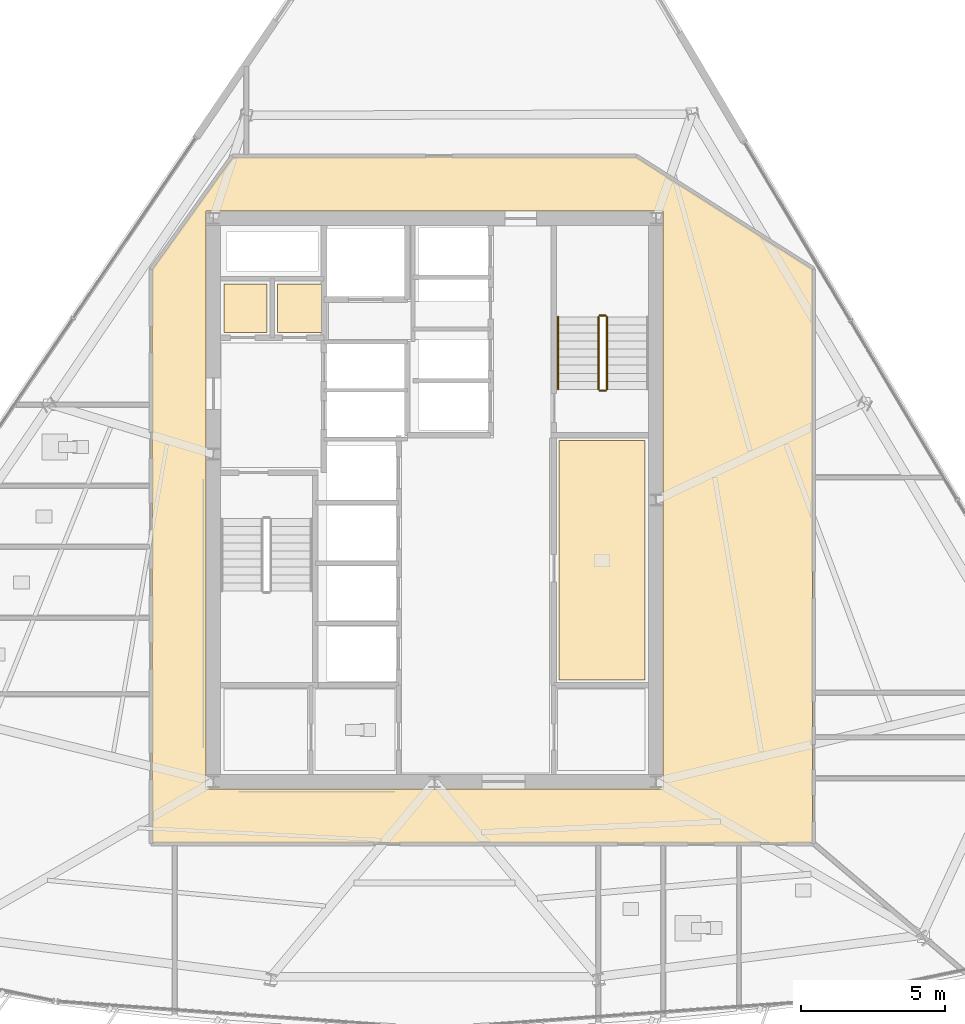
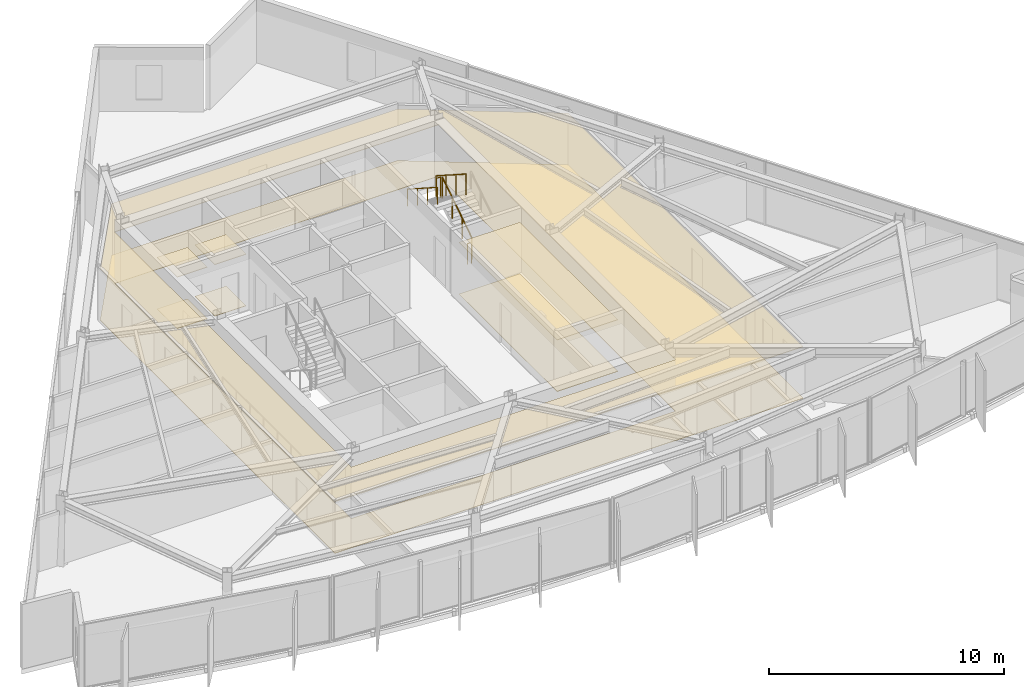
# One storey, part 13 of 15: 8 coverings, 5 railings.
"""IFC4 building model written with IfcOpenShell, lengths in metres."""

from ifc_helpers import new_model, si_unit, direction, frame, origin, origin_2d, place, context, subcontext, project, spatial, polyline, circle, outline, extrude, material, layer, layer_set, type_object, element, save


model = new_model("IFC4")

# Units and contexts
model_context = context("Model", 3, precision=1e-05, world=origin(), true_north=direction((0.0, 1.0)))
body_context = subcontext(model_context, "Body", "Model", "MODEL_VIEW")
ifc_project = project(units=[si_unit("LENGTHUNIT", "METRE"), si_unit("AREAUNIT", "SQUARE_METRE"), si_unit("VOLUMEUNIT", "CUBIC_METRE"), si_unit("PLANEANGLEUNIT", "RADIAN"), si_unit("MASSUNIT", "GRAM", prefix="KILO")], contexts=[model_context])

# Site, building, storey
site_placement = place(None, origin())
site = spatial("IfcSite", under=ifc_project, at=site_placement, CompositionType="ELEMENT")
building_placement = place(site_placement, origin())
building = spatial("IfcBuilding", under=site, at=building_placement, Name="Savorim Split Tower", CompositionType="ELEMENT")
storey_placement = place(building_placement, frame((0.0, 0.0, 194.699951171875)))
storey = spatial("IfcBuildingStorey", under=building, at=storey_placement, Name="L51", CompositionType="ELEMENT", Elevation=194.699951171875)

# Coverings
ifc_material_1 = material(Name="Mineral Fibre Acoustic Ceiling")
ifc_layer_1 = layer(ifc_material_1, 0.02490234375)
ifc_layer_set_1 = layer_set([ifc_layer_1], Name="COV-CEIL-25")
covering_type_1 = type_object("IfcCoveringType", Name="COV-CEIL-25", PredefinedType="CEILING", material=ifc_layer_set_1)
covering_1_placement = place(storey_placement, frame((0.0, 0.0, 2.670166015625)))
element("IfcCovering", 1, at=covering_1_placement, inside=storey, type_object=covering_type_1, Name="L51 Electrical Riser Acoustic Ceiling", PredefinedType="CEILING", context=body_context, shape_type="SweptSolid", body=[
    extrude(outline(polyline([(-7.320068359375, 7.919921875), (-7.320068359375, 6.22998046875), (-5.830078125, 6.22998046875), (-5.830078125, 7.919921875), (-7.320068359375, 7.919921875)])), origin(), (0.0, 0.0, 1.0), 0.02490234375),
])
covering_2_placement = place(storey_placement, frame((0.0, 0.0, 2.670166015625)))
element("IfcCovering", 2, at=covering_2_placement, inside=storey, type_object=covering_type_1, Name="L51 Telecom Riser Acoustic Ceiling", PredefinedType="CEILING", context=body_context, shape_type="SweptSolid", body=[
    extrude(outline(polyline([(-5.469970703125, 7.919921875), (-5.469970703125, 6.22998046875), (-3.929931640625, 6.22998046875), (-3.929931640625, 7.919921875), (-5.469970703125, 7.919921875)])), origin(), (0.0, 0.0, 1.0), 0.02490234375),
])
covering_3_placement = place(storey_placement, frame((0.0, 0.0, 2.670166015625)))
element("IfcCovering", 3, at=covering_3_placement, inside=storey, type_object=covering_type_1, Name="L51 Community Laundry Room Acoustic Ceiling", PredefinedType="CEILING", context=body_context, shape_type="SweptSolid", body=[
    extrude(outline(polyline([(4.330078125, 2.469970703125), (4.330078125, -5.8701171875), (7.320068359375, -5.8701171875), (7.320068359375, 2.469970703125), (4.330078125, 2.469970703125)])), origin(), (0.0, 0.0, 1.0), 0.02490234375),
])
covering_4_placement = place(storey_placement, frame((0.0, 0.0, 2.670166015625)))
element("IfcCovering", 4, at=covering_4_placement, inside=storey, type_object=covering_type_1, Name="L51 Corridor Acoustic Ceiling", PredefinedType="CEILING", context=body_context, shape_type="SweptSolid", body=[
    extrude(outline(polyline([(7.009521484375, 12.3291015625), (7.004638671875, 12.329833984375), (7.0, 12.330078125), (-7.0, 12.330078125), (-7.004638671875, 12.329833984375), (-7.009521484375, 12.3291015625), (-7.013916015625, 12.327880859375), (-7.0185546875, 12.326416015625), (-7.022705078125, 12.324462890625), (-7.027099609375, 12.322021484375), (-7.03076171875, 12.3193359375), (-7.034423828125, 12.31640625), (-7.03759765625, 12.312744140625), (-7.04052734375, 12.30908203125), (-9.820556640625, 8.42919921875), (-9.823486328125, 8.4248046875), (-9.82568359375, 8.420166015625), (-9.82763671875, 8.415283203125), (-9.828857421875, 8.410400390625), (-9.82958984375, 8.4052734375), (-9.830078125, 8.39990234375), (-9.830078125, -11.47998046875), (-9.829833984375, -11.48486328125), (-9.8291015625, -11.48974609375), (-9.827880859375, -11.494384765625), (-9.826171875, -11.4990234375), (-9.82421875, -11.503662109375), (-9.821533203125, -11.5078125), (-9.818603515625, -11.51171875), (-9.8154296875, -11.515380859375), (-9.811767578125, -11.518798828125), (-9.807861328125, -11.521484375), (-9.8037109375, -11.524169921875), (-9.799072265625, -11.526123046875), (-9.79443359375, -11.52783203125), (-9.789794921875, -11.529052734375), (-9.784912109375, -11.52978515625), (-9.780029296875, -11.530029296875), (13.10009765625, -11.530029296875), (13.10498046875, -11.52978515625), (13.10986328125, -11.529052734375), (13.114501953125, -11.52783203125), (13.119140625, -11.526123046875), (13.12353515625, -11.524169921875), (13.127685546875, -11.521484375), (13.131591796875, -11.518798828125), (13.135498046875, -11.515380859375), (13.138671875, -11.51171875), (13.1416015625, -11.5078125), (13.14404296875, -11.503662109375), (13.146240234375, -11.4990234375), (13.147705078125, -11.494384765625), (13.14892578125, -11.48974609375), (13.14990234375, -11.48486328125), (13.14990234375, -11.47998046875), (13.14990234375, 8.39990234375), (13.149658203125, 8.405029296875), (13.14892578125, 8.409912109375), (13.147705078125, 8.414794921875), (13.14599609375, 8.41943359375), (13.143798828125, 8.424072265625), (13.14111328125, 8.42822265625), (13.13818359375, 8.432373046875), (13.134765625, 8.43603515625), (13.130859375, 8.439208984375), (13.126708984375, 8.442138671875), (7.02685546875, 12.322265625), (7.022705078125, 12.324462890625), (7.018310546875, 12.326416015625), (7.013916015625, 12.327880859375), (7.009521484375, 12.3291015625)]), holes=[polyline([(-7.949951171875, 10.449951171875), (-7.949951171875, -9.64990234375), (7.949951171875, -9.64990234375), (7.949951171875, 10.449951171875), (-7.949951171875, 10.449951171875)])]), origin(), (0.0, 0.0, 1.0), 0.02490234375),
])
ifc_material_2 = material(Name="Porcelain Stoneware Flooring", Category="masonry")
ifc_layer_2 = layer(ifc_material_2, 0.02001953125)
ifc_layer_set_2 = layer_set([ifc_layer_2], Name="COV-FLOR-20")
covering_type_2 = type_object("IfcCoveringType", Name="COV-FLOR-20", PredefinedType="FLOORING", material=ifc_layer_set_2)
covering_5_placement = place(storey_placement, origin())
element("IfcCovering", 5, at=covering_5_placement, inside=storey, type_object=covering_type_2, Name="L51 Electrical Riser Porcelain Flooring", PredefinedType="FLOORING", context=body_context, shape_type="SweptSolid", body=[
    extrude(outline(polyline([(-7.320068359375, 7.919921875), (-7.320068359375, 6.22998046875), (-5.830078125, 6.22998046875), (-5.830078125, 7.919921875), (-7.320068359375, 7.919921875)])), origin(), (0.0, 0.0, 1.0), 0.02001953125),
])
covering_6_placement = place(storey_placement, origin())
element("IfcCovering", 6, at=covering_6_placement, inside=storey, type_object=covering_type_2, Name="L51 Telecom Riser Porcelain Flooring", PredefinedType="FLOORING", context=body_context, shape_type="SweptSolid", body=[
    extrude(outline(polyline([(-5.469970703125, 7.919921875), (-5.469970703125, 6.22998046875), (-3.929931640625, 6.22998046875), (-3.929931640625, 7.919921875), (-5.469970703125, 7.919921875)])), origin(), (0.0, 0.0, 1.0), 0.02001953125),
])
covering_7_placement = place(storey_placement, origin())
element("IfcCovering", 7, at=covering_7_placement, inside=storey, type_object=covering_type_2, Name="L51 Community Laundry Room Porcelain Flooring", PredefinedType="FLOORING", context=body_context, shape_type="SweptSolid", body=[
    extrude(outline(polyline([(4.330078125, 2.469970703125), (4.330078125, -5.8701171875), (7.320068359375, -5.8701171875), (7.320068359375, 2.469970703125), (4.330078125, 2.469970703125)])), origin(), (0.0, 0.0, 1.0), 0.02001953125),
])
covering_8_placement = place(storey_placement, origin())
element("IfcCovering", 8, at=covering_8_placement, inside=storey, type_object=covering_type_2, Name="L51 Corridor Porcelain Flooring", PredefinedType="FLOORING", context=body_context, shape_type="SweptSolid", body=[
    extrude(outline(polyline([(7.009521484375, 12.3291015625), (7.004638671875, 12.329833984375), (7.0, 12.330078125), (-7.0, 12.330078125), (-7.004638671875, 12.329833984375), (-7.009521484375, 12.3291015625), (-7.013916015625, 12.327880859375), (-7.0185546875, 12.326416015625), (-7.022705078125, 12.324462890625), (-7.027099609375, 12.322021484375), (-7.03076171875, 12.3193359375), (-7.034423828125, 12.31640625), (-7.03759765625, 12.312744140625), (-7.04052734375, 12.30908203125), (-9.820556640625, 8.42919921875), (-9.823486328125, 8.4248046875), (-9.82568359375, 8.420166015625), (-9.82763671875, 8.415283203125), (-9.828857421875, 8.410400390625), (-9.82958984375, 8.4052734375), (-9.830078125, 8.39990234375), (-9.830078125, -11.47998046875), (-9.829833984375, -11.48486328125), (-9.8291015625, -11.48974609375), (-9.827880859375, -11.494384765625), (-9.826171875, -11.4990234375), (-9.82421875, -11.503662109375), (-9.821533203125, -11.5078125), (-9.818603515625, -11.51171875), (-9.8154296875, -11.515380859375), (-9.811767578125, -11.518798828125), (-9.807861328125, -11.521484375), (-9.8037109375, -11.524169921875), (-9.799072265625, -11.526123046875), (-9.79443359375, -11.52783203125), (-9.789794921875, -11.529052734375), (-9.784912109375, -11.52978515625), (-9.780029296875, -11.530029296875), (13.10009765625, -11.530029296875), (13.10498046875, -11.52978515625), (13.10986328125, -11.529052734375), (13.114501953125, -11.52783203125), (13.119140625, -11.526123046875), (13.12353515625, -11.524169921875), (13.127685546875, -11.521484375), (13.131591796875, -11.518798828125), (13.135498046875, -11.515380859375), (13.138671875, -11.51171875), (13.1416015625, -11.5078125), (13.14404296875, -11.503662109375), (13.146240234375, -11.4990234375), (13.147705078125, -11.494384765625), (13.14892578125, -11.48974609375), (13.14990234375, -11.48486328125), (13.14990234375, -11.47998046875), (13.14990234375, 8.39990234375), (13.149658203125, 8.405029296875), (13.14892578125, 8.409912109375), (13.147705078125, 8.414794921875), (13.14599609375, 8.41943359375), (13.143798828125, 8.424072265625), (13.14111328125, 8.42822265625), (13.13818359375, 8.432373046875), (13.134765625, 8.43603515625), (13.130859375, 8.439208984375), (13.126708984375, 8.442138671875), (7.02685546875, 12.322265625), (7.022705078125, 12.324462890625), (7.018310546875, 12.326416015625), (7.013916015625, 12.327880859375), (7.009521484375, 12.3291015625)]), holes=[polyline([(-7.949951171875, 10.449951171875), (-7.949951171875, -9.64990234375), (7.949951171875, -9.64990234375), (7.949951171875, 10.449951171875), (-7.949951171875, 10.449951171875)])]), origin(), (0.0, 0.0, 1.0), 0.02001953125),
])

# Railings
ifc_material_3 = material(Name="Galvanised Painted Steel Balustrade", Category="steel")
railing_type_1 = type_object("IfcRailingType", Name="RLG-HR-900", PredefinedType="HANDRAIL", material=ifc_material_3)
railing_1_placement = place(storey_placement, frame((4.300048828125, 6.77001953125, 1.97998046875)))
element("IfcRailing", 9, at=railing_1_placement, inside=storey, type_object=railing_type_1, Name="L51 ST-2 stair handrail 2", PredefinedType="HANDRAIL", context=body_context, shape_type="SweptSolid", body=[
    extrude(circle(Radius=0.02392578125, at=origin_2d()), frame((0.0, 0.0, 0.8759765625), z_axis=(0.0, -0.841162588446, 0.540782303519), x_axis=(1.0, 0.0, 0.0)), (0.0, 0.0, 1.0), 2.995849609375),
    extrude(circle(Radius=0.02099609375, at=origin_2d()), origin(), (0.0, 0.0, 1.0), 0.851806640625),
    extrude(circle(Radius=0.02099609375, at=origin_2d()), frame((0.0, -0.840087890625, 0.5400390625)), (0.0, 0.0, 1.0), 0.851806640625),
    extrude(circle(Radius=0.02099609375, at=origin_2d()), frame((0.0, -1.679931640625, 1.080078125)), (0.0, 0.0, 1.0), 0.851806640625),
    extrude(circle(Radius=0.02099609375, at=origin_2d()), frame((0.0, -2.52001953125, 1.6201171875)), (0.0, 0.0, 1.0), 0.851806640625),
])
railing_type_2 = type_object("IfcRailingType", Name="RLG-STG-1100", PredefinedType="BALUSTRADE", material=ifc_material_3)
railing_2_placement = place(storey_placement, frame((6.0, 4.25, 0.179931640625)))
element("IfcRailing", 10, at=railing_2_placement, inside=storey, type_object=railing_type_2, Name="L51 ST-2 stair guard 1", PredefinedType="BALUSTRADE", context=body_context, shape_type="SweptSolid", body=[
    extrude(circle(Radius=0.02392578125, at=origin_2d()), frame((0.0, 0.0, 1.076171875), z_axis=(0.0, 0.841162588446, 0.540782303519), x_axis=(-1.0, 0.0, 0.0)), (0.0, 0.0, 1.0), 2.995849609375),
    extrude(circle(Radius=0.02099609375, at=origin_2d()), origin(), (0.0, 0.0, 1.0), 1.052001953125),
    extrude(circle(Radius=0.02099609375, at=origin_2d()), frame((0.0, 0.840087890625, 0.5400390625)), (0.0, 0.0, 1.0), 1.052001953125),
    extrude(circle(Radius=0.02099609375, at=origin_2d()), frame((0.0, 1.679931640625, 1.080078125)), (0.0, 0.0, 1.0), 1.052001953125),
    extrude(circle(Radius=0.02099609375, at=origin_2d()), frame((0.0, 2.52001953125, 1.6201171875)), (0.0, 0.0, 1.0), 1.052001953125),
])
railing_3_placement = place(storey_placement, frame((5.949951171875, 6.820068359375, 1.800048828125)))
element("IfcRailing", 11, at=railing_3_placement, inside=storey, type_object=railing_type_2, Name="L51 ST-2 stair guard 2", PredefinedType="BALUSTRADE", context=body_context, shape_type="SweptSolid", body=[
    extrude(circle(Radius=0.02392578125, at=origin_2d()), frame((0.0, 0.0, 1.076171875), z_axis=(-1.0, 0.0, 0.0), x_axis=(0.0, -1.0, 0.0)), (0.0, 0.0, 1.0), 0.199951171875),
    extrude(circle(Radius=0.02099609375, at=origin_2d()), origin(), (0.0, 0.0, 1.0), 1.052001953125),
    extrude(circle(Radius=0.02099609375, at=origin_2d()), frame((-0.199951171875, 0.0, 0.0)), (0.0, 0.0, 1.0), 1.052001953125),
])
railing_4_placement = place(storey_placement, frame((5.699951171875, 6.77001953125, 1.97998046875)))
element("IfcRailing", 12, at=railing_4_placement, inside=storey, type_object=railing_type_2, Name="L51 ST-2 stair guard 3", PredefinedType="BALUSTRADE", context=body_context, shape_type="SweptSolid", body=[
    extrude(circle(Radius=0.02392578125, at=origin_2d()), frame((0.0, 0.0, 1.076171875), z_axis=(0.0, -0.841162588446, 0.540782303519), x_axis=(1.0, 0.0, 0.0)), (0.0, 0.0, 1.0), 2.995849609375),
    extrude(circle(Radius=0.02099609375, at=origin_2d()), origin(), (0.0, 0.0, 1.0), 1.052001953125),
    extrude(circle(Radius=0.02099609375, at=origin_2d()), frame((0.0, -0.840087890625, 0.5400390625)), (0.0, 0.0, 1.0), 1.052001953125),
    extrude(circle(Radius=0.02099609375, at=origin_2d()), frame((0.0, -1.679931640625, 1.080078125)), (0.0, 0.0, 1.0), 1.052001953125),
    extrude(circle(Radius=0.02099609375, at=origin_2d()), frame((0.0, -2.52001953125, 1.6201171875)), (0.0, 0.0, 1.0), 1.052001953125),
])
railing_5_placement = place(storey_placement, frame((5.949951171875, 4.199951171875, 0.0)))
element("IfcRailing", 13, at=railing_5_placement, inside=storey, type_object=railing_type_2, Name="L51 ST-2 stair guard 4", PredefinedType="BALUSTRADE", context=body_context, shape_type="SweptSolid", body=[
    extrude(circle(Radius=0.02392578125, at=origin_2d()), frame((0.0, 0.0, 1.076171875), z_axis=(-1.0, 0.0, 0.0), x_axis=(0.0, -1.0, 0.0)), (0.0, 0.0, 1.0), 0.199951171875),
    extrude(circle(Radius=0.02099609375, at=origin_2d()), origin(), (0.0, 0.0, 1.0), 1.052001953125),
    extrude(circle(Radius=0.02099609375, at=origin_2d()), frame((-0.199951171875, 0.0, 0.0)), (0.0, 0.0, 1.0), 1.052001953125),
])

save(model, "model.ifc")
